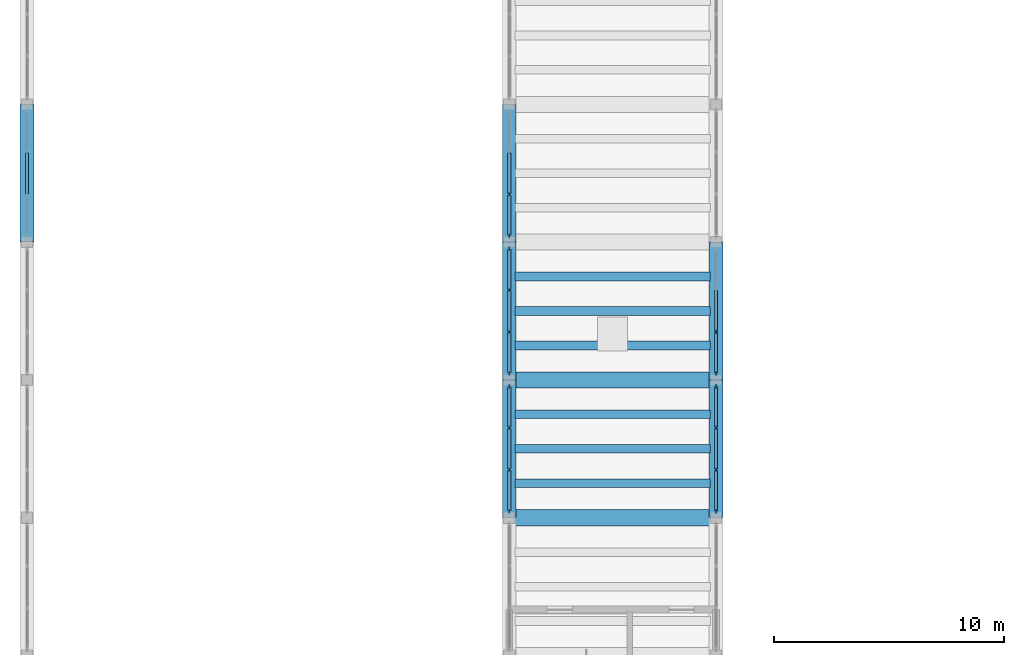
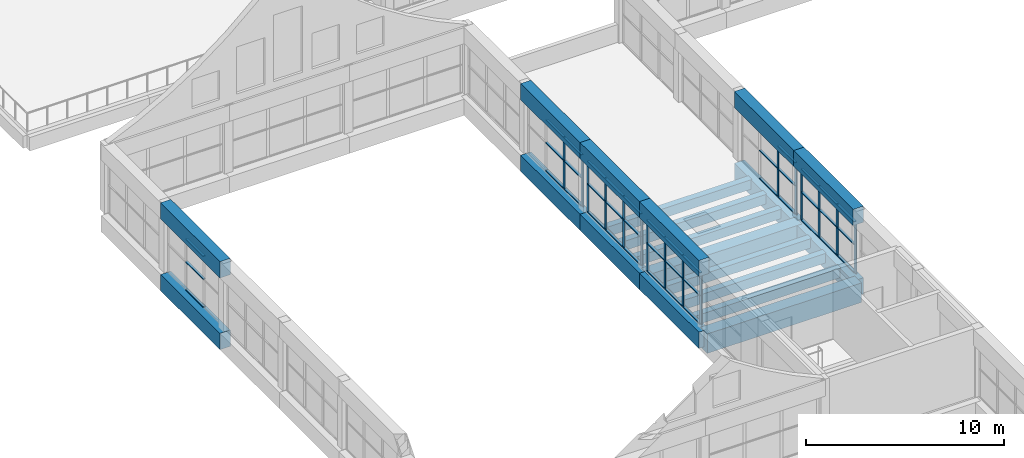
# One storey, part 11 of 70: 57 members, 20 beams, 6 elements without a shape of their own.
"""IFC4 building model written with IfcOpenShell, lengths in metres."""

import ifcopenshell
import ifcopenshell.guid

model = None  # the IFC model being written
_history = None  # IfcOwnerHistory: only IFC2X3 demands one
_inside = {}  # id of a spatial element -> (the spatial element, [elements in it])
_under = {}  # id of a project, library or spatial element -> (it, [spatial elements below it])
_declared = {}  # id of a project -> (the project, [libraries it declares])
_typed = {}  # id of a type object -> (the type object, [elements of that type])
_made_of = {}  # id of a material, layer set ... -> (it, [elements and type objects made of it])


def new_model(schema):
    """Start an empty IFC model of exactly this schema.

    Asked for "IFC4X3", IfcOpenShell would pick the latest addendum, in which some entities
    have other attributes; the version numbers below select the first issue.
    IFC2X3 requires an IfcOwnerHistory on every rooted entity: one is made here for all.
    """
    global model, _history
    if schema == "IFC4X3":
        model = ifcopenshell.file(schema_version=(4, 3, 0, 0))
    else:
        model = ifcopenshell.file(schema=schema)
    _inside.clear()
    _under.clear()
    _declared.clear()
    _typed.clear()
    _made_of.clear()
    _history = None
    if model.schema == "IFC2X3":
        org = make("IfcOrganization", Name="unknown")
        user = make(
            "IfcPersonAndOrganization",
            ThePerson=make("IfcPerson", FamilyName="unknown"),
            TheOrganization=org,
        )
        app = make(
            "IfcApplication",
            ApplicationDeveloper=org,
            Version="unknown",
            ApplicationFullName="unknown",
            ApplicationIdentifier="unknown",
        )
        _history = make(
            "IfcOwnerHistory",
            OwningUser=user,
            OwningApplication=app,
            ChangeAction="ADDED",
            CreationDate=0,
        )
    return model


def make(cls, **values):
    """One entity of the class cls with the attributes given. An attribute that is None is left unset."""
    return model.create_entity(
        cls, **{name: value for name, value in values.items() if value is not None}
    )


def rooted(cls, **values):
    """An entity with a GlobalId (a new one), such as an element, a storey or a relation."""
    return make(cls, GlobalId=ifcopenshell.guid.new(), OwnerHistory=_history, **values)


def si_unit(unit_type, name, prefix=None):
    """IfcSIUnit, for example si_unit("LENGTHUNIT", "METRE", prefix="MILLI")."""
    return make("IfcSIUnit", UnitType=unit_type, Prefix=prefix, Name=name)


def assignment(units):
    """IfcUnitAssignment: the units of a project."""
    return None if units is None else make("IfcUnitAssignment", Units=units)


def point(xyz):
    """IfcCartesianPoint."""
    return None if xyz is None else make("IfcCartesianPoint", Coordinates=xyz)


def direction(xyz):
    """IfcDirection."""
    return None if xyz is None else make("IfcDirection", DirectionRatios=xyz)


def frame(location, z_axis=None, x_axis=None):
    """IfcAxis2Placement3D, a coordinate frame: its origin and axes. An axis left out is left unset."""
    return make(
        "IfcAxis2Placement3D",
        Location=point(location),
        Axis=direction(z_axis),
        RefDirection=direction(x_axis),
    )


def frame_2d(location, x_axis=None):
    """IfcAxis2Placement2D, a coordinate frame in the plane: its origin and x axis."""
    return make(
        "IfcAxis2Placement2D", Location=point(location), RefDirection=direction(x_axis)
    )


def origin():
    """The frame at (0, 0, 0) with its axes left unset."""
    return frame((0.0, 0.0, 0.0))


def origin_2d():
    """The frame at (0, 0) in the plane with its x axis left unset."""
    return frame_2d((0.0, 0.0))


def place(relative_to, where):
    """IfcLocalPlacement: puts the frame where relative to a parent placement (None: the world)."""
    return make(
        "IfcLocalPlacement", PlacementRelTo=relative_to, RelativePlacement=where
    )


def context(
    kind, dimensions, precision=None, world=None, true_north=None, identifier=None
):
    """IfcGeometricRepresentationContext, for example the 3D "Model" context."""
    return make(
        "IfcGeometricRepresentationContext",
        ContextIdentifier=identifier,
        ContextType=kind,
        CoordinateSpaceDimension=dimensions,
        Precision=precision,
        WorldCoordinateSystem=world,
        TrueNorth=true_north,
    )


def subcontext(parent, identifier, kind, view, scale=None):
    """IfcGeometricRepresentationSubContext, for example "Body" below "Model"."""
    return make(
        "IfcGeometricRepresentationSubContext",
        ContextIdentifier=identifier,
        ContextType=kind,
        ParentContext=parent,
        TargetScale=scale,
        TargetView=view,
    )


def project(units=None, contexts=None):
    """IfcProject with its units and contexts."""
    return rooted(
        "IfcProject",
        Name="project",
        RepresentationContexts=contexts,
        UnitsInContext=assignment(units),
    )


def spatial(cls, under=None, at=None, **own):
    """A site, building, storey or space (cls), placed at a placement, below another one or the project."""
    s = rooted(cls, ObjectPlacement=at, **own)
    if under is not None:
        _under.setdefault(under.id(), (under, []))[1].append(s)
    return s


def profile(cls, at=None, kind="AREA", **sizes):
    """A parametric profile (cls). Its sizes go by their IFC names, for example OverallWidth=200.0."""
    return make(cls, ProfileType=kind, Position=at, **sizes)


def rectangle(**sizes):
    """IfcRectangleProfileDef."""
    return profile("IfcRectangleProfileDef", **sizes)


def extrude(swept, where, along, depth):
    """IfcExtrudedAreaSolid: the profile swept, set in the frame where, extruded along a direction by depth."""
    return make(
        "IfcExtrudedAreaSolid",
        SweptArea=swept,
        Position=where,
        ExtrudedDirection=direction(along),
        Depth=depth,
    )


def shape(context_of_items, identifier, shape_type, items):
    """IfcShapeRepresentation: the items that make up one representation, for example the "Body"."""
    return make(
        "IfcShapeRepresentation",
        ContextOfItems=context_of_items,
        RepresentationIdentifier=identifier,
        RepresentationType=shape_type,
        Items=items,
    )


def material(Name=None, Category=None):
    """IfcMaterial."""
    return make("IfcMaterial", Name=Name, Category=Category)


def layer(
    of_material, thickness, ventilated=None, Name=None, Category=None, Priority=None
):
    """IfcMaterialLayer: one layer of a wall or slab, of a material (None: an air gap)."""
    return make(
        "IfcMaterialLayer",
        Material=of_material,
        LayerThickness=thickness,
        IsVentilated=ventilated,
        Name=Name,
        Category=Category,
        Priority=Priority,
    )


def layer_set(layers, Name=None):
    """IfcMaterialLayerSet."""
    return make("IfcMaterialLayerSet", MaterialLayers=layers, LayerSetName=Name)


def material_profile(
    of_material, cross_section, Name=None, Category=None, Priority=None
):
    """IfcMaterialProfile: a cross section and its material."""
    return make(
        "IfcMaterialProfile",
        Name=Name,
        Material=of_material,
        Profile=cross_section,
        Priority=Priority,
        Category=Category,
    )


def profile_set(profiles, Name=None, composite=None):
    """IfcMaterialProfileSet."""
    return make(
        "IfcMaterialProfileSet",
        Name=Name,
        MaterialProfiles=profiles,
        CompositeProfile=composite,
    )


def made_of(thing, what):
    """Note that an element or type object is made of a material, layer set ...; save() writes the relation."""
    if what is not None:
        _made_of.setdefault(what.id(), (what, []))[1].append(thing)
    return thing


def type_object(cls, material=None, **own):
    """A type object (cls), such as IfcWallType, which elements share."""
    return made_of(rooted(cls, **own), material)


def element(
    cls,
    number,
    at=None,
    inside=None,
    cuts=None,
    type_object=None,
    material=None,
    context=None,
    identifier="Body",
    shape_type=None,
    held_by="IfcProductDefinitionShape",
    body=None,
    shapes=None,
    **own,
):
    """One element of the class cls, such as IfcWall. Its Tag is "e" and its number.

    at: its placement. inside: the storey or other place that contains it. cuts: it is an
    opening in that element (IfcRelVoidsElement). A single representation is given by context,
    identifier, shape_type and body (its items); several are given by shapes. held_by: the class
    of the entity that holds the representations. save() writes the other relations.
    """
    e = rooted(cls, Tag="e%d" % number, ObjectPlacement=at, **own)
    if body is not None:
        shapes = [shape(context, identifier, shape_type, body)]
    if shapes is not None:
        e.Representation = make(held_by, Representations=shapes)
    if inside is not None:
        _inside.setdefault(inside.id(), (inside, []))[1].append(e)
    if cuts is not None:
        rooted(
            "IfcRelVoidsElement", RelatingBuildingElement=cuts, RelatedOpeningElement=e
        )
    if type_object is not None:
        _typed.setdefault(type_object.id(), (type_object, []))[1].append(e)
    return made_of(e, material)


def aggregate(whole, parts):
    """IfcRelAggregates: a whole, such as a stair, and the parts it consists of."""
    return rooted("IfcRelAggregates", RelatingObject=whole, RelatedObjects=parts)


def save(model, path):
    """Write the relations noted so far, then the file.

    IfcRelAggregates (storeys below a building ...), IfcRelContainedInSpatialStructure (elements
    in a storey), IfcRelDefinesByType, IfcRelAssociatesMaterial and IfcRelDeclares: one each for
    every whole, place, type object, material and project.
    """
    for whole, parts in _under.values():
        aggregate(whole, parts)
    for where, things in _inside.values():
        rooted(
            "IfcRelContainedInSpatialStructure",
            RelatedElements=things,
            RelatingStructure=where,
        )
    for kind, things in _typed.values():
        rooted("IfcRelDefinesByType", RelatedObjects=things, RelatingType=kind)
    for what, things in _made_of.values():
        rooted("IfcRelAssociatesMaterial", RelatedObjects=things, RelatingMaterial=what)
    for by, libraries in _declared.values():
        rooted("IfcRelDeclares", RelatingContext=by, RelatedDefinitions=libraries)
    model.write(path)


model = new_model("IFC4")

# Units and contexts
model_context = context("Model", 3, precision=1e-05, world=origin(), true_north=direction((0.0, 1.0)))
body_context = subcontext(model_context, "Body", "Model", "MODEL_VIEW")
ifc_project = project(units=[si_unit("LENGTHUNIT", "METRE"), si_unit("AREAUNIT", "SQUARE_METRE"), si_unit("VOLUMEUNIT", "CUBIC_METRE"), si_unit("PLANEANGLEUNIT", "RADIAN"), si_unit("MASSUNIT", "GRAM", prefix="KILO")], contexts=[model_context])

# Site, building, storey
site_placement = place(None, origin())
site = spatial("IfcSite", under=ifc_project, at=site_placement, CompositionType="ELEMENT")
building_placement = place(site_placement, origin())
building = spatial("IfcBuilding", under=site, at=building_placement, Name="Solvane Community Centre", CompositionType="ELEMENT")
storey_placement = place(building_placement, frame((0.0, 0.0, 9.60009765625)))
storey = spatial("IfcBuildingStorey", under=building, at=storey_placement, Name="L02", CompositionType="ELEMENT", Elevation=9.60009765625)

# Curtain wall, members
ifc_material_1 = material(Name="Anodised bronze aluminium AW-6063 T6", Category="aluminium")
ifc_layer = layer(ifc_material_1, 0.179931640625)
ifc_layer_set = layer_set([ifc_layer], Name="Anodised bronze aluminium AW-6063 T6")
curtain_wall_type = type_object("IfcCurtainWallType", Name="Hall Translucent Upper Curtain Wall [55x32dm]", PredefinedType="NOTDEFINED", material=ifc_layer_set)
curtain_wall_1_placement = place(storey_placement, origin())
curtain_wall_1 = element("IfcCurtainWall", 1, at=curtain_wall_1_placement, inside=storey, type_object=curtain_wall_type, Name="Curtain Wall CW-L02-360_657-124", PredefinedType="NOTDEFINED")
ifc_material_profile_1 = material_profile(ifc_material_1, rectangle(XDim=0.06005859375, YDim=0.179931640625, at=origin_2d()), Name="CW-M 60x180")
ifc_profile_set_1 = profile_set([ifc_material_profile_1], Name="Anodised bronze aluminium AW-6063 T6")
member_type_1 = type_object("IfcMemberType", Name="Hall Mullion 60x180", PredefinedType="MULLION", material=ifc_profile_set_1)
member_1_placement = place(storey_placement, frame((36.0, 62.0849609375, 0.0), z_axis=(0.0, 0.0, 1.0), x_axis=(1.0, 0.0, 0.0)))
member_1 = element("IfcMember", 2, at=member_1_placement, type_object=member_type_1, Name="CW01-55x32 mullion 3", PredefinedType="MULLION", context=body_context, shape_type="SweptSolid", body=[
    extrude(rectangle(XDim=0.06005859375, YDim=0.179931640625, at=origin_2d()), origin(), (0.0, 0.0, 1.0), 3.184814453125),
])
member_2_placement = place(storey_placement, frame((36.0, 60.284912109375, 0.0), z_axis=(0.0, 0.0, 1.0), x_axis=(1.0, 0.0, 0.0)))
member_2 = element("IfcMember", 3, at=member_2_placement, type_object=member_type_1, Name="CW01-55x32 mullion 4", PredefinedType="MULLION", context=body_context, shape_type="SweptSolid", body=[
    extrude(rectangle(XDim=0.06005859375, YDim=0.179931640625, at=origin_2d()), origin(), (0.0, 0.0, 1.0), 3.184814453125),
])

curtain_wall_2_placement = place(storey_placement, origin())
curtain_wall_2 = element("IfcCurtainWall", 4, at=curtain_wall_2_placement, inside=storey, type_object=curtain_wall_type, Name="Curtain Wall CW-L02-360_597-125", PredefinedType="NOTDEFINED")
member_3_placement = place(storey_placement, frame((36.0, 59.715087890625, 0.0), z_axis=(0.0, 0.0, 1.0), x_axis=(1.0, 0.0, 0.0)))
member_3 = element("IfcMember", 5, at=member_3_placement, type_object=member_type_1, Name="CW01-55x32 mullion 1", PredefinedType="MULLION", context=body_context, shape_type="SweptSolid", body=[
    extrude(rectangle(XDim=0.06005859375, YDim=0.179931640625, at=origin_2d()), origin(), (0.0, 0.0, 1.0), 3.184814453125),
])
member_4_placement = place(storey_placement, frame((36.0, 57.9150390625, 0.0), z_axis=(0.0, 0.0, 1.0), x_axis=(1.0, 0.0, 0.0)))
member_4 = element("IfcMember", 6, at=member_4_placement, type_object=member_type_1, Name="CW01-55x32 mullion 2", PredefinedType="MULLION", context=body_context, shape_type="SweptSolid", body=[
    extrude(rectangle(XDim=0.06005859375, YDim=0.179931640625, at=origin_2d()), origin(), (0.0, 0.0, 1.0), 3.184814453125),
])
member_5_placement = place(storey_placement, frame((36.0, 56.0849609375, 0.0), z_axis=(0.0, 0.0, 1.0), x_axis=(1.0, 0.0, 0.0)))
member_5 = element("IfcMember", 7, at=member_5_placement, type_object=member_type_1, Name="CW01-55x32 mullion 3", PredefinedType="MULLION", context=body_context, shape_type="SweptSolid", body=[
    extrude(rectangle(XDim=0.06005859375, YDim=0.179931640625, at=origin_2d()), origin(), (0.0, 0.0, 1.0), 3.184814453125),
])
member_6_placement = place(storey_placement, frame((36.0, 54.284912109375, 0.0), z_axis=(0.0, 0.0, 1.0), x_axis=(1.0, 0.0, 0.0)))
member_6 = element("IfcMember", 8, at=member_6_placement, type_object=member_type_1, Name="CW01-55x32 mullion 4", PredefinedType="MULLION", context=body_context, shape_type="SweptSolid", body=[
    extrude(rectangle(XDim=0.06005859375, YDim=0.179931640625, at=origin_2d()), origin(), (0.0, 0.0, 1.0), 3.184814453125),
])

curtain_wall_3_placement = place(storey_placement, origin())
curtain_wall_3 = element("IfcCurtainWall", 9, at=curtain_wall_3_placement, inside=storey, type_object=curtain_wall_type, Name="Curtain Wall CW-L02-270_543-174", PredefinedType="NOTDEFINED")
member_7_placement = place(storey_placement, frame((27.0, 54.284912109375, 0.0), z_axis=(0.0, 0.0, 1.0), x_axis=(-1.0, 0.0, 0.0)))
member_7 = element("IfcMember", 10, at=member_7_placement, type_object=member_type_1, Name="CW01-55x32 mullion 1", PredefinedType="MULLION", context=body_context, shape_type="SweptSolid", body=[
    extrude(rectangle(XDim=0.06005859375, YDim=0.179931640625, at=origin_2d()), origin(), (0.0, 0.0, 1.0), 3.184814453125),
])
member_8_placement = place(storey_placement, frame((27.0, 56.0849609375, 0.0), z_axis=(0.0, 0.0, 1.0), x_axis=(-1.0, 0.0, 0.0)))
member_8 = element("IfcMember", 11, at=member_8_placement, type_object=member_type_1, Name="CW01-55x32 mullion 2", PredefinedType="MULLION", context=body_context, shape_type="SweptSolid", body=[
    extrude(rectangle(XDim=0.06005859375, YDim=0.179931640625, at=origin_2d()), origin(), (0.0, 0.0, 1.0), 3.184814453125),
])
member_9_placement = place(storey_placement, frame((27.0, 57.9150390625, 0.0), z_axis=(0.0, 0.0, 1.0), x_axis=(-1.0, 0.0, 0.0)))
member_9 = element("IfcMember", 12, at=member_9_placement, type_object=member_type_1, Name="CW01-55x32 mullion 3", PredefinedType="MULLION", context=body_context, shape_type="SweptSolid", body=[
    extrude(rectangle(XDim=0.06005859375, YDim=0.179931640625, at=origin_2d()), origin(), (0.0, 0.0, 1.0), 3.184814453125),
])
member_10_placement = place(storey_placement, frame((27.0, 59.715087890625, 0.0), z_axis=(0.0, 0.0, 1.0), x_axis=(-1.0, 0.0, 0.0)))
member_10 = element("IfcMember", 13, at=member_10_placement, type_object=member_type_1, Name="CW01-55x32 mullion 4", PredefinedType="MULLION", context=body_context, shape_type="SweptSolid", body=[
    extrude(rectangle(XDim=0.06005859375, YDim=0.179931640625, at=origin_2d()), origin(), (0.0, 0.0, 1.0), 3.184814453125),
])

curtain_wall_4_placement = place(storey_placement, origin())
curtain_wall_4 = element("IfcCurtainWall", 14, at=curtain_wall_4_placement, inside=storey, type_object=curtain_wall_type, Name="Curtain Wall CW-L02-270_603-175", PredefinedType="NOTDEFINED")
member_11_placement = place(storey_placement, frame((27.0, 60.284912109375, 0.0), z_axis=(0.0, 0.0, 1.0), x_axis=(-1.0, 0.0, 0.0)))
member_11 = element("IfcMember", 15, at=member_11_placement, type_object=member_type_1, Name="CW01-55x32 mullion 1", PredefinedType="MULLION", context=body_context, shape_type="SweptSolid", body=[
    extrude(rectangle(XDim=0.06005859375, YDim=0.179931640625, at=origin_2d()), origin(), (0.0, 0.0, 1.0), 3.184814453125),
])
member_12_placement = place(storey_placement, frame((27.0, 62.0849609375, 0.0), z_axis=(0.0, 0.0, 1.0), x_axis=(-1.0, 0.0, 0.0)))
member_12 = element("IfcMember", 16, at=member_12_placement, type_object=member_type_1, Name="CW01-55x32 mullion 2", PredefinedType="MULLION", context=body_context, shape_type="SweptSolid", body=[
    extrude(rectangle(XDim=0.06005859375, YDim=0.179931640625, at=origin_2d()), origin(), (0.0, 0.0, 1.0), 3.184814453125),
])
member_13_placement = place(storey_placement, frame((27.0, 63.9150390625, 0.0), z_axis=(0.0, 0.0, 1.0), x_axis=(-1.0, 0.0, 0.0)))
member_13 = element("IfcMember", 17, at=member_13_placement, type_object=member_type_1, Name="CW01-55x32 mullion 3", PredefinedType="MULLION", context=body_context, shape_type="SweptSolid", body=[
    extrude(rectangle(XDim=0.06005859375, YDim=0.179931640625, at=origin_2d()), origin(), (0.0, 0.0, 1.0), 3.184814453125),
])
member_14_placement = place(storey_placement, frame((27.0, 65.715087890625, 0.0), z_axis=(0.0, 0.0, 1.0), x_axis=(-1.0, 0.0, 0.0)))
member_14 = element("IfcMember", 18, at=member_14_placement, type_object=member_type_1, Name="CW01-55x32 mullion 4", PredefinedType="MULLION", context=body_context, shape_type="SweptSolid", body=[
    extrude(rectangle(XDim=0.06005859375, YDim=0.179931640625, at=origin_2d()), origin(), (0.0, 0.0, 1.0), 3.184814453125),
])

curtain_wall_5_placement = place(storey_placement, origin())
curtain_wall_5 = element("IfcCurtainWall", 19, at=curtain_wall_5_placement, inside=storey, type_object=curtain_wall_type, Name="Curtain Wall CW-L02-270_663-176", PredefinedType="NOTDEFINED")
member_15_placement = place(storey_placement, frame((27.0, 66.284912109375, 0.0), z_axis=(0.0, 0.0, 1.0), x_axis=(-1.0, 0.0, 0.0)))
member_15 = element("IfcMember", 20, at=member_15_placement, type_object=member_type_1, Name="CW01-55x32 mullion 1", PredefinedType="MULLION", context=body_context, shape_type="SweptSolid", body=[
    extrude(rectangle(XDim=0.06005859375, YDim=0.179931640625, at=origin_2d()), origin(), (0.0, 0.0, 1.0), 3.184814453125),
])
member_16_placement = place(storey_placement, frame((27.0, 68.0849609375, 0.0), z_axis=(0.0, 0.0, 1.0), x_axis=(-1.0, 0.0, 0.0)))
member_16 = element("IfcMember", 21, at=member_16_placement, type_object=member_type_1, Name="CW01-55x32 mullion 2", PredefinedType="MULLION", context=body_context, shape_type="SweptSolid", body=[
    extrude(rectangle(XDim=0.06005859375, YDim=0.179931640625, at=origin_2d()), origin(), (0.0, 0.0, 1.0), 3.184814453125),
])

# Member
ifc_material_profile_2 = material_profile(ifc_material_1, rectangle(XDim=0.139892578125, YDim=0.06005859375, at=origin_2d()), Name="CW-T 60x140")
ifc_profile_set_2 = profile_set([ifc_material_profile_2], Name="Anodised bronze aluminium AW-6063 T6")
member_type_2 = type_object("IfcMemberType", Name="Hall Transom 60x140", PredefinedType="USERDEFINED", material=ifc_profile_set_2)
member_17_placement = place(storey_placement, frame((36.0, 63.885009765625, 0.02978515625), z_axis=(0.0, -1.0, 0.0), x_axis=(1.0, 0.0, 0.0)))
member_17 = element("IfcMember", 22, at=member_17_placement, type_object=member_type_2, Name="CW01-55x32 transom 2.1", ObjectType="TRANSOM", PredefinedType="USERDEFINED", context=body_context, shape_type="SweptSolid", body=[
    extrude(rectangle(XDim=0.139892578125, YDim=0.06005859375, at=origin_2d()), origin(), (0.0, 0.0, 1.0), 1.77001953125),
])

member_18_placement = place(storey_placement, frame((36.0, 63.885009765625, 1.751953125), z_axis=(0.0, -1.0, 0.0), x_axis=(1.0, 0.0, 0.0)))
member_18 = element("IfcMember", 23, at=member_18_placement, type_object=member_type_2, Name="CW01-55x32 transom 2.2", ObjectType="TRANSOM", PredefinedType="USERDEFINED", context=body_context, shape_type="SweptSolid", body=[
    extrude(rectangle(XDim=0.139892578125, YDim=0.06005859375, at=origin_2d()), origin(), (0.0, 0.0, 1.0), 1.77001953125),
])

member_19_placement = place(storey_placement, frame((36.0, 62.054931640625, 0.02978515625), z_axis=(0.0, -1.0, 0.0), x_axis=(1.0, 0.0, 0.0)))
member_19 = element("IfcMember", 24, at=member_19_placement, type_object=member_type_2, Name="CW01-55x32 transom 3.1", ObjectType="TRANSOM", PredefinedType="USERDEFINED", context=body_context, shape_type="SweptSolid", body=[
    extrude(rectangle(XDim=0.139892578125, YDim=0.06005859375, at=origin_2d()), origin(), (0.0, 0.0, 1.0), 1.739990234375),
])

member_20_placement = place(storey_placement, frame((36.0, 62.054931640625, 1.751953125), z_axis=(0.0, -1.0, 0.0), x_axis=(1.0, 0.0, 0.0)))
member_20 = element("IfcMember", 25, at=member_20_placement, type_object=member_type_2, Name="CW01-55x32 transom 3.2", ObjectType="TRANSOM", PredefinedType="USERDEFINED", context=body_context, shape_type="SweptSolid", body=[
    extrude(rectangle(XDim=0.139892578125, YDim=0.06005859375, at=origin_2d()), origin(), (0.0, 0.0, 1.0), 1.739990234375),
])

member_21_placement = place(storey_placement, frame((36.0, 62.054931640625, 3.15478515625), z_axis=(0.0, -1.0, 0.0), x_axis=(1.0, 0.0, 0.0)))
member_21 = element("IfcMember", 26, at=member_21_placement, type_object=member_type_2, Name="CW01-55x32 transom 3.3", ObjectType="TRANSOM", PredefinedType="USERDEFINED", context=body_context, shape_type="SweptSolid", body=[
    extrude(rectangle(XDim=0.139892578125, YDim=0.06005859375, at=origin_2d()), origin(), (0.0, 0.0, 1.0), 1.739990234375),
])

aggregate(curtain_wall_1, [member_1, member_2, member_17, member_18, member_19, member_20, member_21])

member_22_placement = place(storey_placement, frame((36.0, 59.68505859375, 0.02978515625), z_axis=(0.0, -1.0, 0.0), x_axis=(1.0, 0.0, 0.0)))
member_22 = element("IfcMember", 27, at=member_22_placement, type_object=member_type_2, Name="CW01-55x32 transom 1.1", ObjectType="TRANSOM", PredefinedType="USERDEFINED", context=body_context, shape_type="SweptSolid", body=[
    extrude(rectangle(XDim=0.139892578125, YDim=0.06005859375, at=origin_2d()), origin(), (0.0, 0.0, 1.0), 1.739990234375),
])

member_23_placement = place(storey_placement, frame((36.0, 59.68505859375, 1.751953125), z_axis=(0.0, -1.0, 0.0), x_axis=(1.0, 0.0, 0.0)))
member_23 = element("IfcMember", 28, at=member_23_placement, type_object=member_type_2, Name="CW01-55x32 transom 1.2", ObjectType="TRANSOM", PredefinedType="USERDEFINED", context=body_context, shape_type="SweptSolid", body=[
    extrude(rectangle(XDim=0.139892578125, YDim=0.06005859375, at=origin_2d()), origin(), (0.0, 0.0, 1.0), 1.739990234375),
])

member_24_placement = place(storey_placement, frame((36.0, 59.68505859375, 3.15478515625), z_axis=(0.0, -1.0, 0.0), x_axis=(1.0, 0.0, 0.0)))
member_24 = element("IfcMember", 29, at=member_24_placement, type_object=member_type_2, Name="CW01-55x32 transom 1.3", ObjectType="TRANSOM", PredefinedType="USERDEFINED", context=body_context, shape_type="SweptSolid", body=[
    extrude(rectangle(XDim=0.139892578125, YDim=0.06005859375, at=origin_2d()), origin(), (0.0, 0.0, 1.0), 1.739990234375),
])

member_25_placement = place(storey_placement, frame((36.0, 57.885009765625, 0.02978515625), z_axis=(0.0, -1.0, 0.0), x_axis=(1.0, 0.0, 0.0)))
member_25 = element("IfcMember", 30, at=member_25_placement, type_object=member_type_2, Name="CW01-55x32 transom 2.1", ObjectType="TRANSOM", PredefinedType="USERDEFINED", context=body_context, shape_type="SweptSolid", body=[
    extrude(rectangle(XDim=0.139892578125, YDim=0.06005859375, at=origin_2d()), origin(), (0.0, 0.0, 1.0), 1.77001953125),
])

member_26_placement = place(storey_placement, frame((36.0, 57.885009765625, 1.751953125), z_axis=(0.0, -1.0, 0.0), x_axis=(1.0, 0.0, 0.0)))
member_26 = element("IfcMember", 31, at=member_26_placement, type_object=member_type_2, Name="CW01-55x32 transom 2.2", ObjectType="TRANSOM", PredefinedType="USERDEFINED", context=body_context, shape_type="SweptSolid", body=[
    extrude(rectangle(XDim=0.139892578125, YDim=0.06005859375, at=origin_2d()), origin(), (0.0, 0.0, 1.0), 1.77001953125),
])

member_27_placement = place(storey_placement, frame((36.0, 57.885009765625, 3.15478515625), z_axis=(0.0, -1.0, 0.0), x_axis=(1.0, 0.0, 0.0)))
member_27 = element("IfcMember", 32, at=member_27_placement, type_object=member_type_2, Name="CW01-55x32 transom 2.3", ObjectType="TRANSOM", PredefinedType="USERDEFINED", context=body_context, shape_type="SweptSolid", body=[
    extrude(rectangle(XDim=0.139892578125, YDim=0.06005859375, at=origin_2d()), origin(), (0.0, 0.0, 1.0), 1.77001953125),
])

member_28_placement = place(storey_placement, frame((36.0, 56.054931640625, 0.02978515625), z_axis=(0.0, -1.0, 0.0), x_axis=(1.0, 0.0, 0.0)))
member_28 = element("IfcMember", 33, at=member_28_placement, type_object=member_type_2, Name="CW01-55x32 transom 3.1", ObjectType="TRANSOM", PredefinedType="USERDEFINED", context=body_context, shape_type="SweptSolid", body=[
    extrude(rectangle(XDim=0.139892578125, YDim=0.06005859375, at=origin_2d()), origin(), (0.0, 0.0, 1.0), 1.739990234375),
])

member_29_placement = place(storey_placement, frame((36.0, 56.054931640625, 1.751953125), z_axis=(0.0, -1.0, 0.0), x_axis=(1.0, 0.0, 0.0)))
member_29 = element("IfcMember", 34, at=member_29_placement, type_object=member_type_2, Name="CW01-55x32 transom 3.2", ObjectType="TRANSOM", PredefinedType="USERDEFINED", context=body_context, shape_type="SweptSolid", body=[
    extrude(rectangle(XDim=0.139892578125, YDim=0.06005859375, at=origin_2d()), origin(), (0.0, 0.0, 1.0), 1.739990234375),
])

member_30_placement = place(storey_placement, frame((36.0, 56.054931640625, 3.15478515625), z_axis=(0.0, -1.0, 0.0), x_axis=(1.0, 0.0, 0.0)))
member_30 = element("IfcMember", 35, at=member_30_placement, type_object=member_type_2, Name="CW01-55x32 transom 3.3", ObjectType="TRANSOM", PredefinedType="USERDEFINED", context=body_context, shape_type="SweptSolid", body=[
    extrude(rectangle(XDim=0.139892578125, YDim=0.06005859375, at=origin_2d()), origin(), (0.0, 0.0, 1.0), 1.739990234375),
])

aggregate(curtain_wall_2, [member_3, member_4, member_5, member_6, member_22, member_23, member_24, member_25, member_26, member_27, member_28, member_29, member_30])

# Curtain wall, members
curtain_wall_6_placement = place(storey_placement, origin())
curtain_wall_6 = element("IfcCurtainWall", 36, at=curtain_wall_6_placement, inside=storey, type_object=curtain_wall_type, Name="Curtain Wall CW-L02-60_717-167", PredefinedType="NOTDEFINED")
member_31_placement = place(storey_placement, frame((6.0, 69.885009765625, 0.02978515625), z_axis=(0.0, -1.0, 0.0), x_axis=(1.0, 0.0, 0.0)))
member_31 = element("IfcMember", 37, at=member_31_placement, type_object=member_type_2, Name="CW01-55x32 transom 2.1", ObjectType="TRANSOM", PredefinedType="USERDEFINED", context=body_context, shape_type="SweptSolid", body=[
    extrude(rectangle(XDim=0.139892578125, YDim=0.06005859375, at=origin_2d()), origin(), (0.0, 0.0, 1.0), 1.77001953125),
])
member_32_placement = place(storey_placement, frame((6.0, 69.885009765625, 1.751953125), z_axis=(0.0, -1.0, 0.0), x_axis=(1.0, 0.0, 0.0)))
member_32 = element("IfcMember", 38, at=member_32_placement, type_object=member_type_2, Name="CW01-55x32 transom 2.2", ObjectType="TRANSOM", PredefinedType="USERDEFINED", context=body_context, shape_type="SweptSolid", body=[
    extrude(rectangle(XDim=0.139892578125, YDim=0.06005859375, at=origin_2d()), origin(), (0.0, 0.0, 1.0), 1.77001953125),
])
member_33_placement = place(storey_placement, frame((6.0, 69.885009765625, 3.15478515625), z_axis=(0.0, -1.0, 0.0), x_axis=(1.0, 0.0, 0.0)))
member_33 = element("IfcMember", 39, at=member_33_placement, type_object=member_type_2, Name="CW01-55x32 transom 2.3", ObjectType="TRANSOM", PredefinedType="USERDEFINED", context=body_context, shape_type="SweptSolid", body=[
    extrude(rectangle(XDim=0.139892578125, YDim=0.06005859375, at=origin_2d()), origin(), (0.0, 0.0, 1.0), 1.77001953125),
])
aggregate(curtain_wall_6, [member_31, member_32, member_33])

# Member
member_34_placement = place(storey_placement, frame((27.0, 54.31494140625, 0.02978515625), z_axis=(0.0, 1.0, 0.0), x_axis=(-1.0, 0.0, 0.0)))
member_34 = element("IfcMember", 40, at=member_34_placement, type_object=member_type_2, Name="CW01-55x32 transom 1.1", ObjectType="TRANSOM", PredefinedType="USERDEFINED", context=body_context, shape_type="SweptSolid", body=[
    extrude(rectangle(XDim=0.139892578125, YDim=0.06005859375, at=origin_2d()), origin(), (0.0, 0.0, 1.0), 1.739990234375),
])

member_35_placement = place(storey_placement, frame((27.0, 54.31494140625, 1.751953125), z_axis=(0.0, 1.0, 0.0), x_axis=(-1.0, 0.0, 0.0)))
member_35 = element("IfcMember", 41, at=member_35_placement, type_object=member_type_2, Name="CW01-55x32 transom 1.2", ObjectType="TRANSOM", PredefinedType="USERDEFINED", context=body_context, shape_type="SweptSolid", body=[
    extrude(rectangle(XDim=0.139892578125, YDim=0.06005859375, at=origin_2d()), origin(), (0.0, 0.0, 1.0), 1.739990234375),
])

member_36_placement = place(storey_placement, frame((27.0, 54.31494140625, 3.15478515625), z_axis=(0.0, 1.0, 0.0), x_axis=(-1.0, 0.0, 0.0)))
member_36 = element("IfcMember", 42, at=member_36_placement, type_object=member_type_2, Name="CW01-55x32 transom 1.3", ObjectType="TRANSOM", PredefinedType="USERDEFINED", context=body_context, shape_type="SweptSolid", body=[
    extrude(rectangle(XDim=0.139892578125, YDim=0.06005859375, at=origin_2d()), origin(), (0.0, 0.0, 1.0), 1.739990234375),
])

member_37_placement = place(storey_placement, frame((27.0, 56.114990234375, 0.02978515625), z_axis=(0.0, 1.0, 0.0), x_axis=(-1.0, 0.0, 0.0)))
member_37 = element("IfcMember", 43, at=member_37_placement, type_object=member_type_2, Name="CW01-55x32 transom 2.1", ObjectType="TRANSOM", PredefinedType="USERDEFINED", context=body_context, shape_type="SweptSolid", body=[
    extrude(rectangle(XDim=0.139892578125, YDim=0.06005859375, at=origin_2d()), origin(), (0.0, 0.0, 1.0), 1.77001953125),
])

member_38_placement = place(storey_placement, frame((27.0, 56.114990234375, 1.751953125), z_axis=(0.0, 1.0, 0.0), x_axis=(-1.0, 0.0, 0.0)))
member_38 = element("IfcMember", 44, at=member_38_placement, type_object=member_type_2, Name="CW01-55x32 transom 2.2", ObjectType="TRANSOM", PredefinedType="USERDEFINED", context=body_context, shape_type="SweptSolid", body=[
    extrude(rectangle(XDim=0.139892578125, YDim=0.06005859375, at=origin_2d()), origin(), (0.0, 0.0, 1.0), 1.77001953125),
])

member_39_placement = place(storey_placement, frame((27.0, 56.114990234375, 3.15478515625), z_axis=(0.0, 1.0, 0.0), x_axis=(-1.0, 0.0, 0.0)))
member_39 = element("IfcMember", 45, at=member_39_placement, type_object=member_type_2, Name="CW01-55x32 transom 2.3", ObjectType="TRANSOM", PredefinedType="USERDEFINED", context=body_context, shape_type="SweptSolid", body=[
    extrude(rectangle(XDim=0.139892578125, YDim=0.06005859375, at=origin_2d()), origin(), (0.0, 0.0, 1.0), 1.77001953125),
])

member_40_placement = place(storey_placement, frame((27.0, 57.945068359375, 0.02978515625), z_axis=(0.0, 1.0, 0.0), x_axis=(-1.0, 0.0, 0.0)))
member_40 = element("IfcMember", 46, at=member_40_placement, type_object=member_type_2, Name="CW01-55x32 transom 3.1", ObjectType="TRANSOM", PredefinedType="USERDEFINED", context=body_context, shape_type="SweptSolid", body=[
    extrude(rectangle(XDim=0.139892578125, YDim=0.06005859375, at=origin_2d()), origin(), (0.0, 0.0, 1.0), 1.739990234375),
])

member_41_placement = place(storey_placement, frame((27.0, 57.945068359375, 1.751953125), z_axis=(0.0, 1.0, 0.0), x_axis=(-1.0, 0.0, 0.0)))
member_41 = element("IfcMember", 47, at=member_41_placement, type_object=member_type_2, Name="CW01-55x32 transom 3.2", ObjectType="TRANSOM", PredefinedType="USERDEFINED", context=body_context, shape_type="SweptSolid", body=[
    extrude(rectangle(XDim=0.139892578125, YDim=0.06005859375, at=origin_2d()), origin(), (0.0, 0.0, 1.0), 1.739990234375),
])

member_42_placement = place(storey_placement, frame((27.0, 57.945068359375, 3.15478515625), z_axis=(0.0, 1.0, 0.0), x_axis=(-1.0, 0.0, 0.0)))
member_42 = element("IfcMember", 48, at=member_42_placement, type_object=member_type_2, Name="CW01-55x32 transom 3.3", ObjectType="TRANSOM", PredefinedType="USERDEFINED", context=body_context, shape_type="SweptSolid", body=[
    extrude(rectangle(XDim=0.139892578125, YDim=0.06005859375, at=origin_2d()), origin(), (0.0, 0.0, 1.0), 1.739990234375),
])

aggregate(curtain_wall_3, [member_7, member_8, member_9, member_10, member_34, member_35, member_36, member_37, member_38, member_39, member_40, member_41, member_42])

member_43_placement = place(storey_placement, frame((27.0, 60.31494140625, 0.02978515625), z_axis=(0.0, 1.0, 0.0), x_axis=(-1.0, 0.0, 0.0)))
member_43 = element("IfcMember", 49, at=member_43_placement, type_object=member_type_2, Name="CW01-55x32 transom 1.1", ObjectType="TRANSOM", PredefinedType="USERDEFINED", context=body_context, shape_type="SweptSolid", body=[
    extrude(rectangle(XDim=0.139892578125, YDim=0.06005859375, at=origin_2d()), origin(), (0.0, 0.0, 1.0), 1.739990234375),
])

member_44_placement = place(storey_placement, frame((27.0, 60.31494140625, 1.751953125), z_axis=(0.0, 1.0, 0.0), x_axis=(-1.0, 0.0, 0.0)))
member_44 = element("IfcMember", 50, at=member_44_placement, type_object=member_type_2, Name="CW01-55x32 transom 1.2", ObjectType="TRANSOM", PredefinedType="USERDEFINED", context=body_context, shape_type="SweptSolid", body=[
    extrude(rectangle(XDim=0.139892578125, YDim=0.06005859375, at=origin_2d()), origin(), (0.0, 0.0, 1.0), 1.739990234375),
])

member_45_placement = place(storey_placement, frame((27.0, 60.31494140625, 3.15478515625), z_axis=(0.0, 1.0, 0.0), x_axis=(-1.0, 0.0, 0.0)))
member_45 = element("IfcMember", 51, at=member_45_placement, type_object=member_type_2, Name="CW01-55x32 transom 1.3", ObjectType="TRANSOM", PredefinedType="USERDEFINED", context=body_context, shape_type="SweptSolid", body=[
    extrude(rectangle(XDim=0.139892578125, YDim=0.06005859375, at=origin_2d()), origin(), (0.0, 0.0, 1.0), 1.739990234375),
])

member_46_placement = place(storey_placement, frame((27.0, 62.114990234375, 0.02978515625), z_axis=(0.0, 1.0, 0.0), x_axis=(-1.0, 0.0, 0.0)))
member_46 = element("IfcMember", 52, at=member_46_placement, type_object=member_type_2, Name="CW01-55x32 transom 2.1", ObjectType="TRANSOM", PredefinedType="USERDEFINED", context=body_context, shape_type="SweptSolid", body=[
    extrude(rectangle(XDim=0.139892578125, YDim=0.06005859375, at=origin_2d()), origin(), (0.0, 0.0, 1.0), 1.77001953125),
])

member_47_placement = place(storey_placement, frame((27.0, 62.114990234375, 1.751953125), z_axis=(0.0, 1.0, 0.0), x_axis=(-1.0, 0.0, 0.0)))
member_47 = element("IfcMember", 53, at=member_47_placement, type_object=member_type_2, Name="CW01-55x32 transom 2.2", ObjectType="TRANSOM", PredefinedType="USERDEFINED", context=body_context, shape_type="SweptSolid", body=[
    extrude(rectangle(XDim=0.139892578125, YDim=0.06005859375, at=origin_2d()), origin(), (0.0, 0.0, 1.0), 1.77001953125),
])

member_48_placement = place(storey_placement, frame((27.0, 62.114990234375, 3.15478515625), z_axis=(0.0, 1.0, 0.0), x_axis=(-1.0, 0.0, 0.0)))
member_48 = element("IfcMember", 54, at=member_48_placement, type_object=member_type_2, Name="CW01-55x32 transom 2.3", ObjectType="TRANSOM", PredefinedType="USERDEFINED", context=body_context, shape_type="SweptSolid", body=[
    extrude(rectangle(XDim=0.139892578125, YDim=0.06005859375, at=origin_2d()), origin(), (0.0, 0.0, 1.0), 1.77001953125),
])

member_49_placement = place(storey_placement, frame((27.0, 63.945068359375, 0.02978515625), z_axis=(0.0, 1.0, 0.0), x_axis=(-1.0, 0.0, 0.0)))
member_49 = element("IfcMember", 55, at=member_49_placement, type_object=member_type_2, Name="CW01-55x32 transom 3.1", ObjectType="TRANSOM", PredefinedType="USERDEFINED", context=body_context, shape_type="SweptSolid", body=[
    extrude(rectangle(XDim=0.139892578125, YDim=0.06005859375, at=origin_2d()), origin(), (0.0, 0.0, 1.0), 1.739990234375),
])

member_50_placement = place(storey_placement, frame((27.0, 63.945068359375, 1.751953125), z_axis=(0.0, 1.0, 0.0), x_axis=(-1.0, 0.0, 0.0)))
member_50 = element("IfcMember", 56, at=member_50_placement, type_object=member_type_2, Name="CW01-55x32 transom 3.2", ObjectType="TRANSOM", PredefinedType="USERDEFINED", context=body_context, shape_type="SweptSolid", body=[
    extrude(rectangle(XDim=0.139892578125, YDim=0.06005859375, at=origin_2d()), origin(), (0.0, 0.0, 1.0), 1.739990234375),
])

member_51_placement = place(storey_placement, frame((27.0, 63.945068359375, 3.15478515625), z_axis=(0.0, 1.0, 0.0), x_axis=(-1.0, 0.0, 0.0)))
member_51 = element("IfcMember", 57, at=member_51_placement, type_object=member_type_2, Name="CW01-55x32 transom 3.3", ObjectType="TRANSOM", PredefinedType="USERDEFINED", context=body_context, shape_type="SweptSolid", body=[
    extrude(rectangle(XDim=0.139892578125, YDim=0.06005859375, at=origin_2d()), origin(), (0.0, 0.0, 1.0), 1.739990234375),
])

aggregate(curtain_wall_4, [member_11, member_12, member_13, member_14, member_43, member_44, member_45, member_46, member_47, member_48, member_49, member_50, member_51])

member_52_placement = place(storey_placement, frame((27.0, 66.31494140625, 0.02978515625), z_axis=(0.0, 1.0, 0.0), x_axis=(-1.0, 0.0, 0.0)))
member_52 = element("IfcMember", 58, at=member_52_placement, type_object=member_type_2, Name="CW01-55x32 transom 1.1", ObjectType="TRANSOM", PredefinedType="USERDEFINED", context=body_context, shape_type="SweptSolid", body=[
    extrude(rectangle(XDim=0.139892578125, YDim=0.06005859375, at=origin_2d()), origin(), (0.0, 0.0, 1.0), 1.739990234375),
])

member_53_placement = place(storey_placement, frame((27.0, 66.31494140625, 1.751953125), z_axis=(0.0, 1.0, 0.0), x_axis=(-1.0, 0.0, 0.0)))
member_53 = element("IfcMember", 59, at=member_53_placement, type_object=member_type_2, Name="CW01-55x32 transom 1.2", ObjectType="TRANSOM", PredefinedType="USERDEFINED", context=body_context, shape_type="SweptSolid", body=[
    extrude(rectangle(XDim=0.139892578125, YDim=0.06005859375, at=origin_2d()), origin(), (0.0, 0.0, 1.0), 1.739990234375),
])

member_54_placement = place(storey_placement, frame((27.0, 66.31494140625, 3.15478515625), z_axis=(0.0, 1.0, 0.0), x_axis=(-1.0, 0.0, 0.0)))
member_54 = element("IfcMember", 60, at=member_54_placement, type_object=member_type_2, Name="CW01-55x32 transom 1.3", ObjectType="TRANSOM", PredefinedType="USERDEFINED", context=body_context, shape_type="SweptSolid", body=[
    extrude(rectangle(XDim=0.139892578125, YDim=0.06005859375, at=origin_2d()), origin(), (0.0, 0.0, 1.0), 1.739990234375),
])

member_55_placement = place(storey_placement, frame((27.0, 68.114990234375, 0.02978515625), z_axis=(0.0, 1.0, 0.0), x_axis=(-1.0, 0.0, 0.0)))
member_55 = element("IfcMember", 61, at=member_55_placement, type_object=member_type_2, Name="CW01-55x32 transom 2.1", ObjectType="TRANSOM", PredefinedType="USERDEFINED", context=body_context, shape_type="SweptSolid", body=[
    extrude(rectangle(XDim=0.139892578125, YDim=0.06005859375, at=origin_2d()), origin(), (0.0, 0.0, 1.0), 1.77001953125),
])

member_56_placement = place(storey_placement, frame((27.0, 68.114990234375, 1.751953125), z_axis=(0.0, 1.0, 0.0), x_axis=(-1.0, 0.0, 0.0)))
member_56 = element("IfcMember", 62, at=member_56_placement, type_object=member_type_2, Name="CW01-55x32 transom 2.2", ObjectType="TRANSOM", PredefinedType="USERDEFINED", context=body_context, shape_type="SweptSolid", body=[
    extrude(rectangle(XDim=0.139892578125, YDim=0.06005859375, at=origin_2d()), origin(), (0.0, 0.0, 1.0), 1.77001953125),
])

member_57_placement = place(storey_placement, frame((27.0, 68.114990234375, 3.15478515625), z_axis=(0.0, 1.0, 0.0), x_axis=(-1.0, 0.0, 0.0)))
member_57 = element("IfcMember", 63, at=member_57_placement, type_object=member_type_2, Name="CW01-55x32 transom 2.3", ObjectType="TRANSOM", PredefinedType="USERDEFINED", context=body_context, shape_type="SweptSolid", body=[
    extrude(rectangle(XDim=0.139892578125, YDim=0.06005859375, at=origin_2d()), origin(), (0.0, 0.0, 1.0), 1.77001953125),
])

aggregate(curtain_wall_5, [member_15, member_16, member_52, member_53, member_54, member_55, member_56, member_57])

# Beams
ifc_material_2 = material(Name="Concrete C35/45", Category="concrete")
ifc_material_profile_3 = material_profile(ifc_material_2, rectangle(XDim=0.3798828125, YDim=0.580078125, at=origin_2d()), Name="RC 380x580")
ifc_profile_set_3 = profile_set([ifc_material_profile_3], Name="Concrete C35/45")
beam_type_1 = type_object("IfcBeamType", Name="RC Short Joist 380x580", PredefinedType="JOIST", material=ifc_profile_set_3)
for number, where, z_axis, x_axis, name in (
    (64, (27.239990234375, 55.5, -0.510009765625), (1.0, 0.0, 0.0), (0.0, 1.0, 0.0), "Beam BM-L02-272_555-358_555"),
    (65, (27.239990234375, 57.0, -0.510009765625), (1.0, 0.0, 0.0), (0.0, 1.0, 0.0), "Beam BM-L02-272_570-358_570"),
    (66, (27.239990234375, 58.5, -0.510009765625), (1.0, 0.0, 0.0), (0.0, 1.0, 0.0), "Beam BM-L02-272_585-358_585"),
    (67, (27.239990234375, 61.5, -0.510009765625), (1.0, 0.0, 0.0), (0.0, 1.0, 0.0), "Beam BM-L02-272_615-358_615"),
    (68, (27.239990234375, 63.0, -0.510009765625), (1.0, 0.0, 0.0), (0.0, 1.0, 0.0), "Beam BM-L02-272_630-358_630"),
    (69, (27.239990234375, 64.5, -0.510009765625), (1.0, 0.0, 0.0), (0.0, 1.0, 0.0), "Beam BM-L02-272_645-358_645"),
):
    element("IfcBeam", number, at=place(storey_placement, frame(where, z_axis=z_axis, x_axis=x_axis)), inside=storey, type_object=beam_type_1, Name=name, PredefinedType="JOIST", context=body_context, shape_type="SweptSolid", body=[
        extrude(rectangle(XDim=0.3798828125, YDim=0.580078125, at=origin_2d()), origin(), (0.0, 0.0, 1.0), 8.52001953125),
    ])
ifc_material_profile_4 = material_profile(ifc_material_2, rectangle(XDim=0.699951171875, YDim=1.199951171875, at=origin_2d()), Name="RC 700x1200")
ifc_profile_set_4 = profile_set([ifc_material_profile_4], Name="Concrete C35/45")
beam_type_2 = type_object("IfcBeamType", Name="RC Transfer Girder 700x1200", PredefinedType="USERDEFINED", material=ifc_profile_set_4)
for number, where, z_axis, x_axis, name in (
    (70, (27.0, 54.0, -0.820068359375), (1.0, 0.0, 0.0), (0.0, 1.0, 0.0), "Beam BM-L02-270_540-360_540"),
    (71, (27.0, 60.0, -0.820068359375), (1.0, 0.0, 0.0), (0.0, 1.0, 0.0), "Beam BM-L02-270_600-360_600"),
):
    element("IfcBeam", number, at=place(storey_placement, frame(where, z_axis=z_axis, x_axis=x_axis)), inside=storey, type_object=beam_type_2, Name=name, ObjectType="GIRDER", PredefinedType="USERDEFINED", context=body_context, shape_type="SweptSolid", body=[
        extrude(rectangle(XDim=0.699951171875, YDim=1.199951171875, at=origin_2d()), origin(), (0.0, 0.0, 1.0), 9.0),
    ])
ifc_material_profile_5 = material_profile(ifc_material_2, rectangle(XDim=0.60009765625, YDim=1.0, at=origin_2d()), Name="RC 600x1000")
ifc_profile_set_5 = profile_set([ifc_material_profile_5], Name="Concrete C35/45")
beam_type_3 = type_object("IfcBeamType", Name="RC Vault Thrust Ring Girder 600x1000", PredefinedType="USERDEFINED", material=ifc_profile_set_5)
for number, where, z_axis, x_axis, name in (
    (72, (6.0, 66.0, -0.72021484375), (0.0, 1.0, 0.0), (-1.0, 0.0, 0.0), "Beam BM-L02-60_660-60_720"),
    (73, (27.0, 54.0, -0.72021484375), (0.0, 1.0, 0.0), (-1.0, 0.0, 0.0), "Beam BM-L02-270_540-270_600"),
    (74, (27.0, 60.0, -0.72021484375), (0.0, 1.0, 0.0), (-1.0, 0.0, 0.0), "Beam BM-L02-270_600-270_660"),
    (75, (27.0, 66.0, -0.72021484375), (0.0, 1.0, 0.0), (-1.0, 0.0, 0.0), "Beam BM-L02-270_660-270_720"),
    (76, (36.0, 54.0, -0.72021484375), (0.0, 1.0, 0.0), (-1.0, 0.0, 0.0), "Beam BM-L02-360_540-360_600"),
    (77, (36.0, 60.0, -0.72021484375), (0.0, 1.0, 0.0), (-1.0, 0.0, 0.0), "Beam BM-L02-360_600-360_660"),
    (78, (36.0, 54.0, 3.699951171875), (0.0, 1.0, 0.0), (-1.0, 0.0, 0.0), "Beam BM-L02-360_540-360_600-1449"),
    (79, (36.0, 60.0, 3.699951171875), (0.0, 1.0, 0.0), (-1.0, 0.0, 0.0), "Beam BM-L02-360_600-360_660-1451"),
    (80, (6.0, 66.0, 3.699951171875), (0.0, 1.0, 0.0), (-1.0, 0.0, 0.0), "Beam BM-L02-60_660-60_720-1491"),
    (81, (27.0, 54.0, 3.699951171875), (0.0, 1.0, 0.0), (-1.0, 0.0, 0.0), "Beam BM-L02-270_540-270_600-1495"),
    (82, (27.0, 60.0, 3.699951171875), (0.0, 1.0, 0.0), (-1.0, 0.0, 0.0), "Beam BM-L02-270_600-270_660-1496"),
    (83, (27.0, 66.0, 3.699951171875), (0.0, 1.0, 0.0), (-1.0, 0.0, 0.0), "Beam BM-L02-270_660-270_720-1497"),
):
    element("IfcBeam", number, at=place(storey_placement, frame(where, z_axis=z_axis, x_axis=x_axis)), inside=storey, type_object=beam_type_3, Name=name, ObjectType="GIRDER", PredefinedType="USERDEFINED", context=body_context, shape_type="SweptSolid", body=[
        extrude(rectangle(XDim=0.60009765625, YDim=1.0, at=origin_2d()), origin(), (0.0, 0.0, 1.0), 6.0),
    ])

save(model, "model.ifc")
